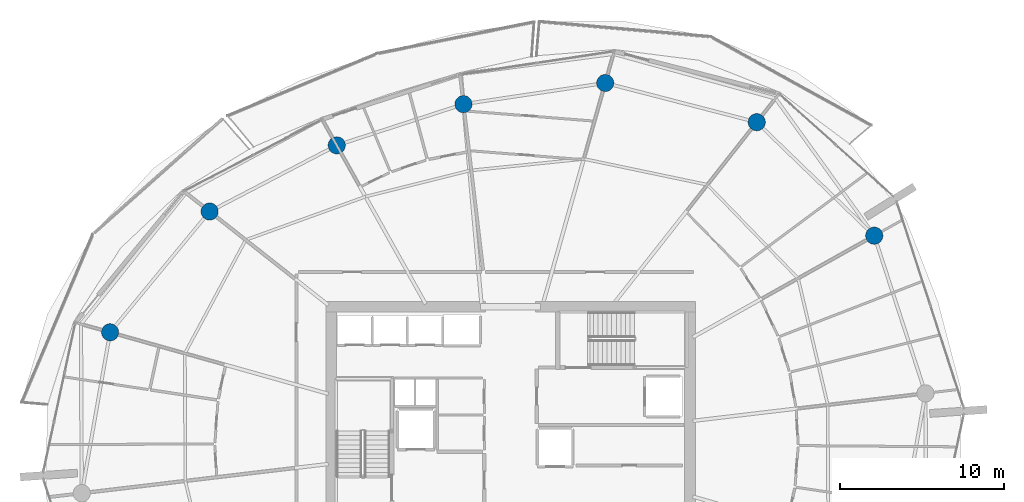
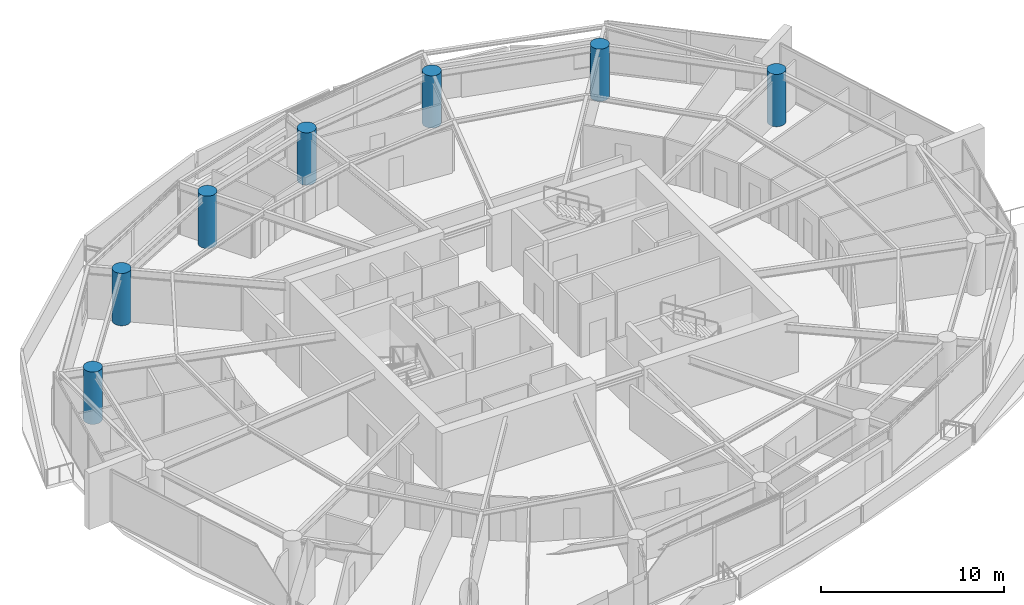
# One storey, part 4 of 20: 7 columns.
"""IFC4 building model written with IfcOpenShell, lengths in metres."""

from ifc_helpers import new_model, si_unit, direction, frame, origin, origin_2d, place, context, subcontext, project, spatial, circle, extrude, material, material_profile, profile_set, type_object, element, save


model = new_model("IFC4")

# Units and contexts
model_context = context("Model", 3, precision=1e-05, world=origin(), true_north=direction((0.0, 1.0)))
body_context = subcontext(model_context, "Body", "Model", "MODEL_VIEW")
ifc_project = project(units=[si_unit("LENGTHUNIT", "METRE"), si_unit("AREAUNIT", "SQUARE_METRE"), si_unit("VOLUMEUNIT", "CUBIC_METRE"), si_unit("PLANEANGLEUNIT", "RADIAN"), si_unit("MASSUNIT", "GRAM", prefix="KILO")], contexts=[model_context])

# Site, building, storey
site_placement = place(None, origin())
site = spatial("IfcSite", under=ifc_project, at=site_placement, CompositionType="ELEMENT")
building_placement = place(site_placement, origin())
building = spatial("IfcBuilding", under=site, at=building_placement, Name="Kazma Halo Residences", CompositionType="ELEMENT")
storey_placement = place(building_placement, frame((0.0, 0.0, 210.300048828125)))
storey = spatial("IfcBuildingStorey", under=building, at=storey_placement, Name="L53", CompositionType="ELEMENT", Elevation=210.300048828125)

# Columns
ifc_material = material(Name="Concrete C80/95", Category="concrete")
ifc_material_profile = material_profile(ifc_material, circle(Radius=0.52490234375, at=origin_2d()), Name="CIRC1050")
ifc_profile_set = profile_set([ifc_material_profile], Name="Concrete C80/95")
column_type = type_object("IfcColumnType", Name="COL-PERIM-1050", PredefinedType="COLUMN", material=ifc_profile_set)
for number, where, z_axis, x_axis, name in (
    (1, (70.625, 54.670654296875, 0.0), (0.0, 0.0, 1.0), (1.0, 0.0, 0.0), "L53 perimeter ring column P01"),
    (2, (63.45068359375, 61.598876953125, 0.0), (0.0, 0.0, 1.0), (1.0, 0.0, 0.0), "L53 perimeter ring column P02"),
    (3, (54.202392578125, 63.99169921875, 0.0), (0.0, 0.0, 1.0), (1.0, 0.0, 0.0), "L53 perimeter ring column P03"),
    (4, (45.550048828125, 62.69970703125, 0.0), (0.0, 0.0, 1.0), (1.0, 0.0, 0.0), "L53 perimeter ring column P04"),
    (5, (37.815185546875, 60.186279296875, 0.0), (0.0, 0.0, 1.0), (1.0, 0.0, 0.0), "L53 perimeter ring column P05"),
    (6, (30.055908203125, 56.14599609375, 0.0), (0.0, 0.0, 1.0), (1.0, 0.0, 0.0), "L53 perimeter ring column P06"),
    (7, (23.980224609375, 48.7744140625, 0.0), (0.0, 0.0, 1.0), (1.0, 0.0, 0.0), "L53 perimeter ring column P07"),
):
    element("IfcColumn", number, at=place(storey_placement, frame(where, z_axis=z_axis, x_axis=x_axis)), inside=storey, type_object=column_type, Name=name, PredefinedType="COLUMN", context=body_context, shape_type="SweptSolid", body=[
        extrude(circle(Radius=0.52490234375, at=origin_2d()), origin(), (0.0, 0.0, 1.0), 3.5),
    ])

save(model, "model.ifc")
